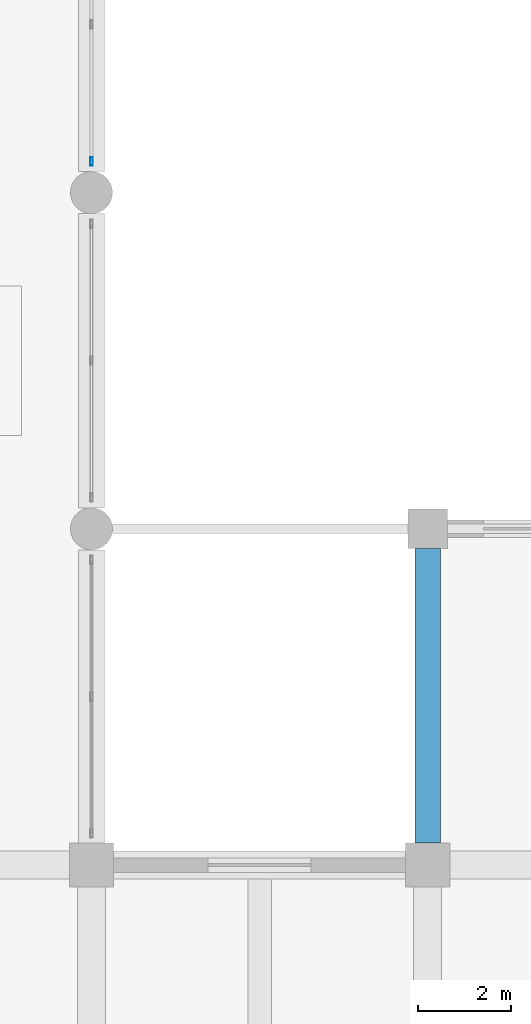
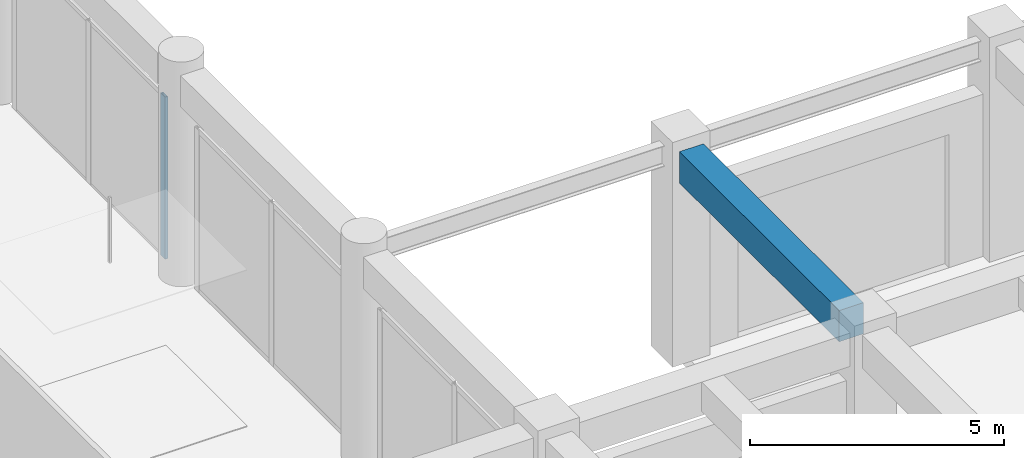
# One storey, part 17 of 56: 1 beam, 1 member, 1 element without a shape of its own.
"""IFC4 building model written with IfcOpenShell, lengths in metres."""

from ifc_helpers import new_model, si_unit, direction, frame, origin, origin_2d, place, context, subcontext, project, spatial, rectangle, hollow_rectangle, extrude, material, material_profile, profile_set, type_object, element, aggregate, save


model = new_model("IFC4")

# Units and contexts
model_context = context("Model", 3, precision=1e-05, world=origin(), true_north=direction((0.0, 1.0)))
body_context = subcontext(model_context, "Body", "Model", "MODEL_VIEW")
ifc_project = project(units=[si_unit("LENGTHUNIT", "METRE"), si_unit("AREAUNIT", "SQUARE_METRE"), si_unit("VOLUMEUNIT", "CUBIC_METRE"), si_unit("PLANEANGLEUNIT", "RADIAN"), si_unit("MASSUNIT", "GRAM", prefix="KILO")], contexts=[model_context])

# Site, building, storey
site_placement = place(None, origin())
site = spatial("IfcSite", under=ifc_project, at=site_placement, CompositionType="ELEMENT")
building_placement = place(site_placement, origin())
building = spatial("IfcBuilding", under=site, at=building_placement, Name="Kazehaya Institute of Natural Sciences", CompositionType="ELEMENT")
storey_placement = place(building_placement, origin())
storey = spatial("IfcBuildingStorey", under=building, at=storey_placement, Name="L00", CompositionType="ELEMENT", Elevation=0.0)

# Beam
ifc_material_1 = material(Name="Concrete Fc36", Category="concrete")
ifc_material_profile_1 = material_profile(ifc_material_1, rectangle(XDim=0.550048828125, YDim=0.75, at=origin_2d()), Name="RC-550x750")
ifc_profile_set_1 = profile_set([ifc_material_profile_1], Name="Concrete Fc36")
beam_type = type_object("IfcBeamType", Name="BM-G-550x750", PredefinedType="BEAM", material=ifc_profile_set_1)
beam_placement = place(storey_placement, frame((119.39990234375, 36.074951171875, 4.7548828125), z_axis=(0.0, 1.0, 0.0), x_axis=(-1.0, 0.0, 0.0)))
element("IfcBeam", 1, at=beam_placement, inside=storey, type_object=beam_type, Name="L00 primary Y girder BMY-L00-1194-356", PredefinedType="BEAM", context=body_context, shape_type="SweptSolid", body=[
    extrude(rectangle(XDim=0.550048828125, YDim=0.75, at=origin_2d()), origin(), (0.0, 0.0, 1.0), 6.300048828125),
])

# Curtain wall, member
ifc_material_2 = material(Name="Aluminium alloy A6063S-T5", Category="aluminium")
curtain_wall_type = type_object("IfcCurtainWallType", Name="CW-SYS-01", PredefinedType="NOTDEFINED", material=ifc_material_2)
curtain_wall_placement = place(storey_placement, origin())
curtain_wall = element("IfcCurtainWall", 2, at=curtain_wall_placement, inside=storey, type_object=curtain_wall_type, Name="L00 unitised curtain wall CW-L00-012", PredefinedType="NOTDEFINED")
ifc_material_profile_2 = material_profile(ifc_material_2, hollow_rectangle(XDim=0.06005859375, YDim=0.179931640625, WallThickness=0.00390625, at=origin_2d()), Name="ALU-60x180x4")
ifc_profile_set_2 = profile_set([ifc_material_profile_2], Name="Aluminium alloy A6063S-T5")
member_type = type_object("IfcMemberType", Name="CWM-180", PredefinedType="MULLION", material=ifc_profile_set_2)
member_placement = place(storey_placement, frame((112.199951171875, 50.669921875, 0.0), z_axis=(0.0, 0.0, 1.0), x_axis=(1.0, 0.0, 0.0)))
member = element("IfcMember", 3, at=member_placement, type_object=member_type, Name="CW01 mullion 3", PredefinedType="MULLION", context=body_context, shape_type="SweptSolid", body=[
    extrude(hollow_rectangle(XDim=0.06005859375, YDim=0.179931640625, WallThickness=0.00390625, at=origin_2d()), origin(), (0.0, 0.0, 1.0), 3.89990234375),
])
aggregate(curtain_wall, [member])

save(model, "model.ifc")
